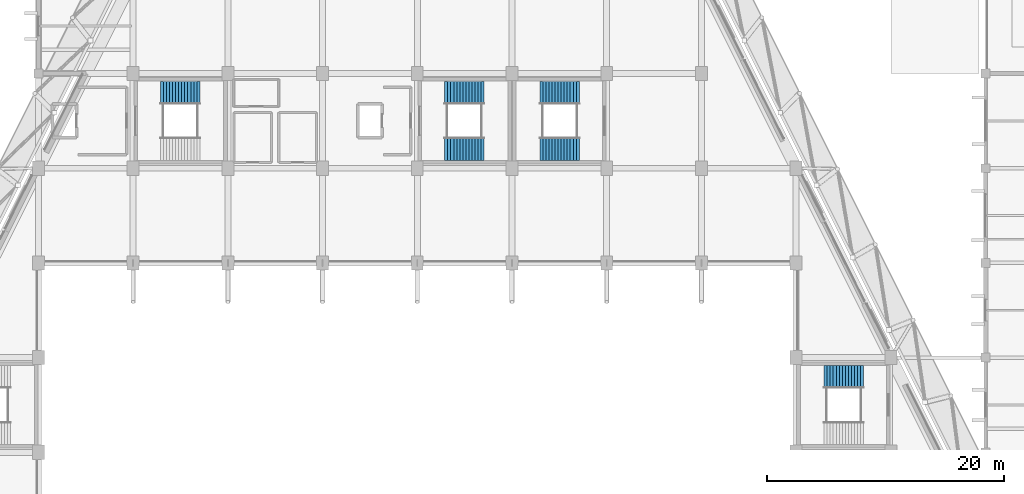
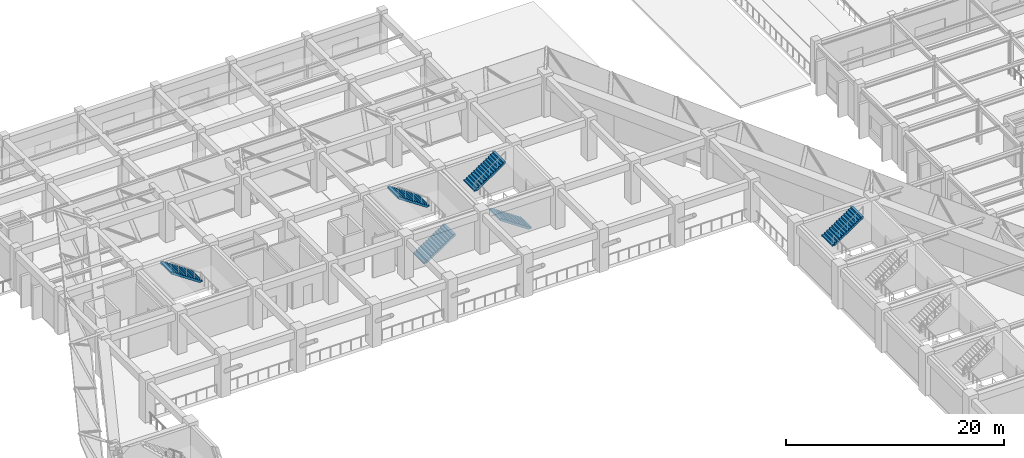
# One storey, part 38 of 46: 6 stair flights, 4 elements without a shape of their own.
"""IFC4 building model written with IfcOpenShell, lengths in metres."""

from ifc_helpers import new_model, si_unit, direction, frame, origin, place, context, subcontext, project, spatial, polyline, outline, extrude, material, type_object, element, aggregate, save


model = new_model("IFC4")

# Units and contexts
model_context = context("Model", 3, precision=1e-05, world=origin(), true_north=direction((0.0, 1.0)))
body_context = subcontext(model_context, "Body", "Model", "MODEL_VIEW")
ifc_project = project(units=[si_unit("LENGTHUNIT", "METRE"), si_unit("AREAUNIT", "SQUARE_METRE"), si_unit("VOLUMEUNIT", "CUBIC_METRE"), si_unit("PLANEANGLEUNIT", "RADIAN"), si_unit("MASSUNIT", "GRAM", prefix="KILO")], contexts=[model_context])

# Site, building, storey
site_placement = place(None, origin())
site = spatial("IfcSite", under=ifc_project, at=site_placement, CompositionType="ELEMENT")
building_placement = place(site_placement, origin())
building = spatial("IfcBuilding", under=site, at=building_placement, Name="Tazarka Park Arena", CompositionType="ELEMENT")
storey_placement = place(building_placement, frame((0.0, 0.0, 10.199951171875)))
storey = spatial("IfcBuildingStorey", under=building, at=storey_placement, Name="L02", CompositionType="ELEMENT", Elevation=10.199951171875)

# Stair, stair flights
ifc_material_1 = material(Name="Precast concrete C40/50", Category="concrete")
stair_type_1 = type_object("IfcStairType", Name="STR-2400", PredefinedType="HALF_TURN_STAIR", material=ifc_material_1)
stair_1_placement = place(storey_placement, origin())
stair_1 = element("IfcStair", 1, at=stair_1_placement, inside=storey, type_object=stair_type_1, Name="Stair ST10 L02", PredefinedType="HALF_TURN_STAIR")
ifc_material_2 = material(Name="Precast concrete C40/50", Category="concrete")
stair_flight_type_1 = type_object("IfcStairFlightType", Name="FLT-1350", PredefinedType="STRAIGHT", material=ifc_material_2)
stair_flight_1_placement = place(storey_placement, frame((101.68505859375, 97.6298828125, 0.0), z_axis=(0.0, 0.0, 1.0), x_axis=(-1.0, 0.0, 0.0)))
stair_flight_1 = element("IfcStairFlight", 2, at=stair_flight_1_placement, type_object=stair_flight_type_1, Name="ST10-L02 flight 1", NumberOfRisers=14, NumberOfTreads=13, PredefinedType="STRAIGHT", RiserHeight=0.171429, TreadLength=0.255, context=body_context, shape_type="SweptSolid", body=[
    extrude(outline(polyline([(0.0, 0.0), (0.0, 0.17138671875), (0.2548828125, 0.17138671875), (0.2548828125, 0.3427734375), (0.510009765625, 0.3427734375), (0.510009765625, 0.514404296875), (0.764892578125, 0.514404296875), (0.764892578125, 0.685791015625), (1.02001953125, 0.685791015625), (1.02001953125, 0.857177734375), (1.27490234375, 0.857177734375), (1.27490234375, 1.028564453125), (1.530029296875, 1.028564453125), (1.530029296875, 1.199951171875), (1.784912109375, 1.199951171875), (1.784912109375, 1.371337890625), (2.0400390625, 1.371337890625), (2.0400390625, 1.54296875), (2.294921875, 1.54296875), (2.294921875, 1.71435546875), (2.550048828125, 1.71435546875), (2.550048828125, 1.8857421875), (2.804931640625, 1.8857421875), (2.804931640625, 2.05712890625), (3.06005859375, 2.05712890625), (3.06005859375, 2.228515625), (3.31494140625, 2.228515625), (3.31494140625, 2.39990234375), (3.31494140625, 2.01171875), (0.322509765625, 0.0), (0.0, 0.0)])), frame((0.0, 0.969970703125, 0.0), z_axis=(0.0, -1.0, 0.0), x_axis=(1.0, 0.0, 0.0)), (0.0, 0.0, 1.0), 1.93994140625),
])
stair_flight_2_placement = place(storey_placement, frame((98.3701171875, 102.3701171875, 2.400146484375), z_axis=(0.0, 0.0, 1.0), x_axis=(1.0, 0.0, 0.0)))
stair_flight_2 = element("IfcStairFlight", 3, at=stair_flight_2_placement, type_object=stair_flight_type_1, Name="ST10-L02 flight 2", NumberOfRisers=14, NumberOfTreads=13, PredefinedType="STRAIGHT", RiserHeight=0.171429, TreadLength=0.255, context=body_context, shape_type="SweptSolid", body=[
    extrude(outline(polyline([(0.0, 0.0), (0.0, 0.17138671875), (0.2548828125, 0.17138671875), (0.2548828125, 0.3427734375), (0.510009765625, 0.3427734375), (0.510009765625, 0.514404296875), (0.764892578125, 0.514404296875), (0.764892578125, 0.685791015625), (1.02001953125, 0.685791015625), (1.02001953125, 0.857177734375), (1.27490234375, 0.857177734375), (1.27490234375, 1.028564453125), (1.530029296875, 1.028564453125), (1.530029296875, 1.199951171875), (1.784912109375, 1.199951171875), (1.784912109375, 1.371337890625), (2.0400390625, 1.371337890625), (2.0400390625, 1.54296875), (2.294921875, 1.54296875), (2.294921875, 1.71435546875), (2.550048828125, 1.71435546875), (2.550048828125, 1.8857421875), (2.804931640625, 1.8857421875), (2.804931640625, 2.05712890625), (3.06005859375, 2.05712890625), (3.06005859375, 2.228515625), (3.31494140625, 2.228515625), (3.31494140625, 2.39990234375), (3.31494140625, 2.01171875), (0.322509765625, 0.0), (0.0, 0.0)])), frame((0.0, 0.969970703125, 0.0), z_axis=(0.0, -1.0, 0.0), x_axis=(1.0, 0.0, 0.0)), (0.0, 0.0, 1.0), 1.93994140625),
])
aggregate(stair_1, [stair_flight_1, stair_flight_2])

# Stair, stair flight
stair_2_placement = place(storey_placement, origin())
stair_2 = element("IfcStair", 4, at=stair_2_placement, inside=storey, type_object=stair_type_1, Name="Stair ST14 L02", PredefinedType="HALF_TURN_STAIR")
stair_flight_3_placement = place(storey_placement, frame((69.6298828125, 102.3701171875, 2.400146484375), z_axis=(0.0, 0.0, 1.0), x_axis=(-1.0, 0.0, 0.0)))
stair_flight_3 = element("IfcStairFlight", 5, at=stair_flight_3_placement, type_object=stair_flight_type_1, Name="ST14-L02 flight 2", NumberOfRisers=14, NumberOfTreads=13, PredefinedType="STRAIGHT", RiserHeight=0.171429, TreadLength=0.255, context=body_context, shape_type="SweptSolid", body=[
    extrude(outline(polyline([(0.0, 0.0), (0.0, 0.17138671875), (0.2548828125, 0.17138671875), (0.2548828125, 0.3427734375), (0.510009765625, 0.3427734375), (0.510009765625, 0.514404296875), (0.764892578125, 0.514404296875), (0.764892578125, 0.685791015625), (1.02001953125, 0.685791015625), (1.02001953125, 0.857177734375), (1.27490234375, 0.857177734375), (1.27490234375, 1.028564453125), (1.530029296875, 1.028564453125), (1.530029296875, 1.199951171875), (1.784912109375, 1.199951171875), (1.784912109375, 1.371337890625), (2.0400390625, 1.371337890625), (2.0400390625, 1.54296875), (2.294921875, 1.54296875), (2.294921875, 1.71435546875), (2.550048828125, 1.71435546875), (2.550048828125, 1.8857421875), (2.804931640625, 1.8857421875), (2.804931640625, 2.05712890625), (3.06005859375, 2.05712890625), (3.06005859375, 2.228515625), (3.31494140625, 2.228515625), (3.31494140625, 2.39990234375), (3.31494140625, 2.01171875), (0.322509765625, 0.0), (0.0, 0.0)])), frame((0.0, 0.969970703125, 0.0), z_axis=(0.0, -1.0, 0.0), x_axis=(1.0, 0.0, 0.0)), (0.0, 0.0, 1.0), 1.93994140625),
])
aggregate(stair_2, [stair_flight_3])

# Stair, stair flights
stair_3_placement = place(storey_placement, origin())
stair_3 = element("IfcStair", 6, at=stair_3_placement, inside=storey, type_object=stair_type_1, Name="Stair ST15 L02", PredefinedType="HALF_TURN_STAIR")
stair_flight_4_placement = place(storey_placement, frame((90.31494140625, 97.6298828125, 0.0), z_axis=(0.0, 0.0, 1.0), x_axis=(1.0, 0.0, 0.0)))
stair_flight_4 = element("IfcStairFlight", 7, at=stair_flight_4_placement, type_object=stair_flight_type_1, Name="ST15-L02 flight 1", NumberOfRisers=14, NumberOfTreads=13, PredefinedType="STRAIGHT", RiserHeight=0.171429, TreadLength=0.255, context=body_context, shape_type="SweptSolid", body=[
    extrude(outline(polyline([(0.0, 0.0), (0.0, 0.17138671875), (0.2548828125, 0.17138671875), (0.2548828125, 0.3427734375), (0.510009765625, 0.3427734375), (0.510009765625, 0.514404296875), (0.764892578125, 0.514404296875), (0.764892578125, 0.685791015625), (1.02001953125, 0.685791015625), (1.02001953125, 0.857177734375), (1.27490234375, 0.857177734375), (1.27490234375, 1.028564453125), (1.530029296875, 1.028564453125), (1.530029296875, 1.199951171875), (1.784912109375, 1.199951171875), (1.784912109375, 1.371337890625), (2.0400390625, 1.371337890625), (2.0400390625, 1.54296875), (2.294921875, 1.54296875), (2.294921875, 1.71435546875), (2.550048828125, 1.71435546875), (2.550048828125, 1.8857421875), (2.804931640625, 1.8857421875), (2.804931640625, 2.05712890625), (3.06005859375, 2.05712890625), (3.06005859375, 2.228515625), (3.31494140625, 2.228515625), (3.31494140625, 2.39990234375), (3.31494140625, 2.01171875), (0.322509765625, 0.0), (0.0, 0.0)])), frame((0.0, 0.969970703125, 0.0), z_axis=(0.0, -1.0, 0.0), x_axis=(1.0, 0.0, 0.0)), (0.0, 0.0, 1.0), 1.93994140625),
])
stair_flight_5_placement = place(storey_placement, frame((93.6298828125, 102.3701171875, 2.400146484375), z_axis=(0.0, 0.0, 1.0), x_axis=(-1.0, 0.0, 0.0)))
stair_flight_5 = element("IfcStairFlight", 8, at=stair_flight_5_placement, type_object=stair_flight_type_1, Name="ST15-L02 flight 2", NumberOfRisers=14, NumberOfTreads=13, PredefinedType="STRAIGHT", RiserHeight=0.171429, TreadLength=0.255, context=body_context, shape_type="SweptSolid", body=[
    extrude(outline(polyline([(0.0, 0.0), (0.0, 0.17138671875), (0.2548828125, 0.17138671875), (0.2548828125, 0.3427734375), (0.510009765625, 0.3427734375), (0.510009765625, 0.514404296875), (0.764892578125, 0.514404296875), (0.764892578125, 0.685791015625), (1.02001953125, 0.685791015625), (1.02001953125, 0.857177734375), (1.27490234375, 0.857177734375), (1.27490234375, 1.028564453125), (1.530029296875, 1.028564453125), (1.530029296875, 1.199951171875), (1.784912109375, 1.199951171875), (1.784912109375, 1.371337890625), (2.0400390625, 1.371337890625), (2.0400390625, 1.54296875), (2.294921875, 1.54296875), (2.294921875, 1.71435546875), (2.550048828125, 1.71435546875), (2.550048828125, 1.8857421875), (2.804931640625, 1.8857421875), (2.804931640625, 2.05712890625), (3.06005859375, 2.05712890625), (3.06005859375, 2.228515625), (3.31494140625, 2.228515625), (3.31494140625, 2.39990234375), (3.31494140625, 2.01171875), (0.322509765625, 0.0), (0.0, 0.0)])), frame((0.0, 0.969970703125, 0.0), z_axis=(0.0, -1.0, 0.0), x_axis=(1.0, 0.0, 0.0)), (0.0, 0.0, 1.0), 1.93994140625),
])
aggregate(stair_3, [stair_flight_4, stair_flight_5])

# Stair, stair flight
ifc_material_3 = material(Name="Precast concrete C40/50", Category="concrete")
stair_type_2 = type_object("IfcStairType", Name="STR-1800", PredefinedType="HALF_TURN_STAIR", material=ifc_material_3)
stair_4_placement = place(storey_placement, origin())
stair_4 = element("IfcStair", 9, at=stair_4_placement, inside=storey, type_object=stair_type_2, Name="Vomitory Stair ST22 L02", PredefinedType="HALF_TURN_STAIR")
ifc_material_4 = material(Name="Precast concrete C40/50", Category="concrete")
stair_flight_type_2 = type_object("IfcStairFlightType", Name="FLT-1800", PredefinedType="STRAIGHT", material=ifc_material_4)
stair_flight_6_placement = place(storey_placement, frame((122.3701171875, 78.389892578125, 2.400146484375), z_axis=(0.0, 0.0, 1.0), x_axis=(1.0, 0.0, 0.0)))
stair_flight_6 = element("IfcStairFlight", 10, at=stair_flight_6_placement, type_object=stair_flight_type_2, Name="ST22-L02 flight 2", NumberOfRisers=14, NumberOfTreads=13, PredefinedType="STRAIGHT", RiserHeight=0.171429, TreadLength=0.255, context=body_context, shape_type="SweptSolid", body=[
    extrude(outline(polyline([(0.0, 0.0), (0.0, 0.17138671875), (0.2548828125, 0.17138671875), (0.2548828125, 0.3427734375), (0.510009765625, 0.3427734375), (0.510009765625, 0.514404296875), (0.764892578125, 0.514404296875), (0.764892578125, 0.685791015625), (1.02001953125, 0.685791015625), (1.02001953125, 0.857177734375), (1.27490234375, 0.857177734375), (1.27490234375, 1.028564453125), (1.530029296875, 1.028564453125), (1.530029296875, 1.199951171875), (1.784912109375, 1.199951171875), (1.784912109375, 1.371337890625), (2.0400390625, 1.371337890625), (2.0400390625, 1.54296875), (2.294921875, 1.54296875), (2.294921875, 1.71435546875), (2.550048828125, 1.71435546875), (2.550048828125, 1.8857421875), (2.804931640625, 1.8857421875), (2.804931640625, 2.05712890625), (3.06005859375, 2.05712890625), (3.06005859375, 2.228515625), (3.31494140625, 2.228515625), (3.31494140625, 2.39990234375), (3.31494140625, 2.01171875), (0.322509765625, 0.0), (0.0, 0.0)])), frame((0.0, 0.949951171875, 0.0), z_axis=(0.0, -1.0, 0.0), x_axis=(1.0, 0.0, 0.0)), (0.0, 0.0, 1.0), 1.89990234375),
])
aggregate(stair_4, [stair_flight_6])

save(model, "model.ifc")
